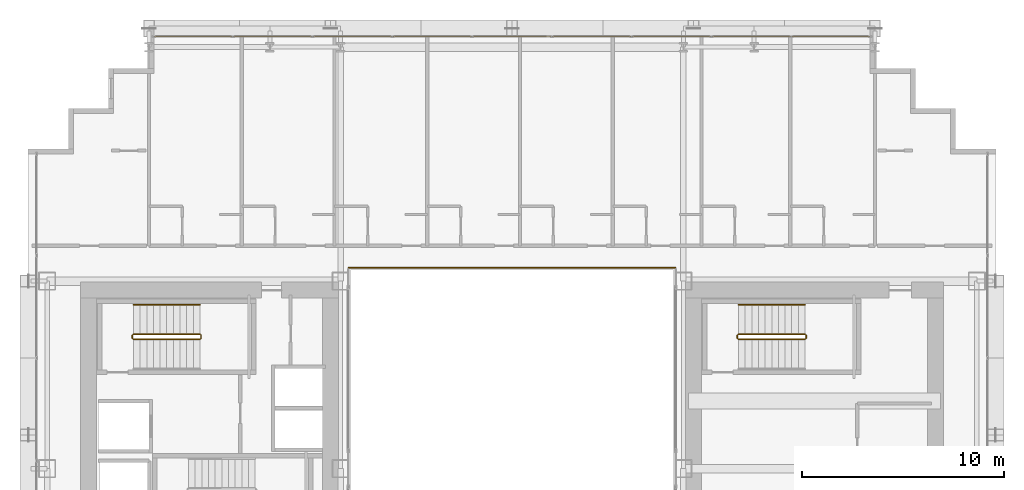
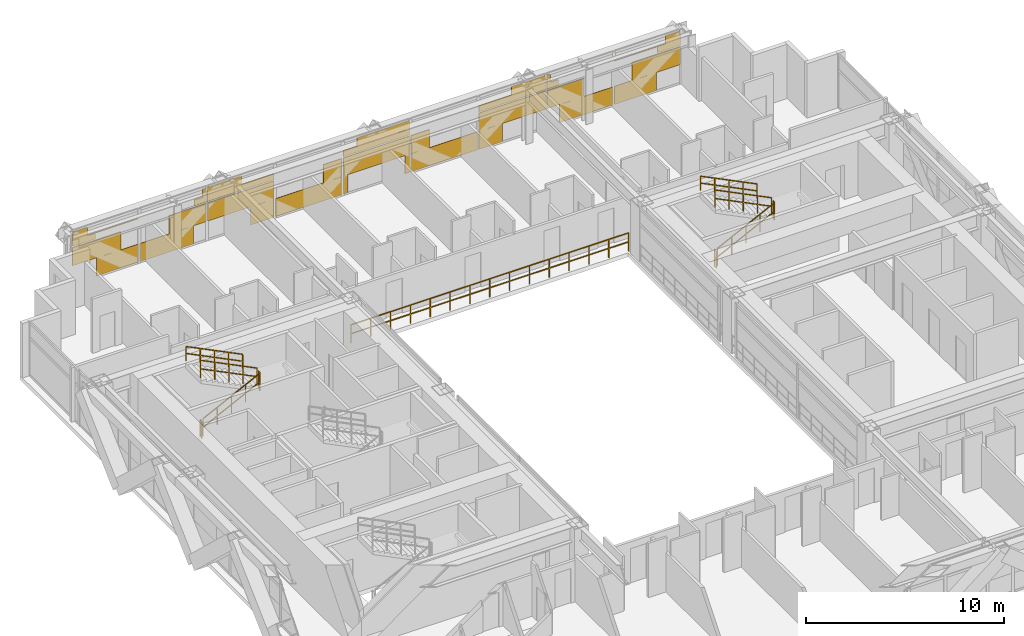
# One storey, part 41 of 41: 11 railings, 1 covering.
"""IFC4 building model written with IfcOpenShell, lengths in metres."""

import ifcopenshell
import ifcopenshell.guid

model = None  # the IFC model being written
_history = None  # IfcOwnerHistory: only IFC2X3 demands one
_inside = {}  # id of a spatial element -> (the spatial element, [elements in it])
_under = {}  # id of a project, library or spatial element -> (it, [spatial elements below it])
_declared = {}  # id of a project -> (the project, [libraries it declares])
_typed = {}  # id of a type object -> (the type object, [elements of that type])
_made_of = {}  # id of a material, layer set ... -> (it, [elements and type objects made of it])


def new_model(schema):
    """Start an empty IFC model of exactly this schema.

    Asked for "IFC4X3", IfcOpenShell would pick the latest addendum, in which some entities
    have other attributes; the version numbers below select the first issue.
    IFC2X3 requires an IfcOwnerHistory on every rooted entity: one is made here for all.
    """
    global model, _history
    if schema == "IFC4X3":
        model = ifcopenshell.file(schema_version=(4, 3, 0, 0))
    else:
        model = ifcopenshell.file(schema=schema)
    _inside.clear()
    _under.clear()
    _declared.clear()
    _typed.clear()
    _made_of.clear()
    _history = None
    if model.schema == "IFC2X3":
        org = make("IfcOrganization", Name="unknown")
        user = make(
            "IfcPersonAndOrganization",
            ThePerson=make("IfcPerson", FamilyName="unknown"),
            TheOrganization=org,
        )
        app = make(
            "IfcApplication",
            ApplicationDeveloper=org,
            Version="unknown",
            ApplicationFullName="unknown",
            ApplicationIdentifier="unknown",
        )
        _history = make(
            "IfcOwnerHistory",
            OwningUser=user,
            OwningApplication=app,
            ChangeAction="ADDED",
            CreationDate=0,
        )
    return model


def make(cls, **values):
    """One entity of the class cls with the attributes given. An attribute that is None is left unset."""
    return model.create_entity(
        cls, **{name: value for name, value in values.items() if value is not None}
    )


def rooted(cls, **values):
    """An entity with a GlobalId (a new one), such as an element, a storey or a relation."""
    return make(cls, GlobalId=ifcopenshell.guid.new(), OwnerHistory=_history, **values)


def si_unit(unit_type, name, prefix=None):
    """IfcSIUnit, for example si_unit("LENGTHUNIT", "METRE", prefix="MILLI")."""
    return make("IfcSIUnit", UnitType=unit_type, Prefix=prefix, Name=name)


def assignment(units):
    """IfcUnitAssignment: the units of a project."""
    return None if units is None else make("IfcUnitAssignment", Units=units)


def point(xyz):
    """IfcCartesianPoint."""
    return None if xyz is None else make("IfcCartesianPoint", Coordinates=xyz)


def direction(xyz):
    """IfcDirection."""
    return None if xyz is None else make("IfcDirection", DirectionRatios=xyz)


def frame(location, z_axis=None, x_axis=None):
    """IfcAxis2Placement3D, a coordinate frame: its origin and axes. An axis left out is left unset."""
    return make(
        "IfcAxis2Placement3D",
        Location=point(location),
        Axis=direction(z_axis),
        RefDirection=direction(x_axis),
    )


def frame_2d(location, x_axis=None):
    """IfcAxis2Placement2D, a coordinate frame in the plane: its origin and x axis."""
    return make(
        "IfcAxis2Placement2D", Location=point(location), RefDirection=direction(x_axis)
    )


def origin():
    """The frame at (0, 0, 0) with its axes left unset."""
    return frame((0.0, 0.0, 0.0))


def origin_2d():
    """The frame at (0, 0) in the plane with its x axis left unset."""
    return frame_2d((0.0, 0.0))


def place(relative_to, where):
    """IfcLocalPlacement: puts the frame where relative to a parent placement (None: the world)."""
    return make(
        "IfcLocalPlacement", PlacementRelTo=relative_to, RelativePlacement=where
    )


def context(
    kind, dimensions, precision=None, world=None, true_north=None, identifier=None
):
    """IfcGeometricRepresentationContext, for example the 3D "Model" context."""
    return make(
        "IfcGeometricRepresentationContext",
        ContextIdentifier=identifier,
        ContextType=kind,
        CoordinateSpaceDimension=dimensions,
        Precision=precision,
        WorldCoordinateSystem=world,
        TrueNorth=true_north,
    )


def subcontext(parent, identifier, kind, view, scale=None):
    """IfcGeometricRepresentationSubContext, for example "Body" below "Model"."""
    return make(
        "IfcGeometricRepresentationSubContext",
        ContextIdentifier=identifier,
        ContextType=kind,
        ParentContext=parent,
        TargetScale=scale,
        TargetView=view,
    )


def project(units=None, contexts=None):
    """IfcProject with its units and contexts."""
    return rooted(
        "IfcProject",
        Name="project",
        RepresentationContexts=contexts,
        UnitsInContext=assignment(units),
    )


def spatial(cls, under=None, at=None, **own):
    """A site, building, storey or space (cls), placed at a placement, below another one or the project."""
    s = rooted(cls, ObjectPlacement=at, **own)
    if under is not None:
        _under.setdefault(under.id(), (under, []))[1].append(s)
    return s


def profile(cls, at=None, kind="AREA", **sizes):
    """A parametric profile (cls). Its sizes go by their IFC names, for example OverallWidth=200.0."""
    return make(cls, ProfileType=kind, Position=at, **sizes)


def rectangle(**sizes):
    """IfcRectangleProfileDef."""
    return profile("IfcRectangleProfileDef", **sizes)


def extrude(swept, where, along, depth):
    """IfcExtrudedAreaSolid: the profile swept, set in the frame where, extruded along a direction by depth."""
    return make(
        "IfcExtrudedAreaSolid",
        SweptArea=swept,
        Position=where,
        ExtrudedDirection=direction(along),
        Depth=depth,
    )


def shape(context_of_items, identifier, shape_type, items):
    """IfcShapeRepresentation: the items that make up one representation, for example the "Body"."""
    return make(
        "IfcShapeRepresentation",
        ContextOfItems=context_of_items,
        RepresentationIdentifier=identifier,
        RepresentationType=shape_type,
        Items=items,
    )


def material(Name=None, Category=None):
    """IfcMaterial."""
    return make("IfcMaterial", Name=Name, Category=Category)


def layer(
    of_material, thickness, ventilated=None, Name=None, Category=None, Priority=None
):
    """IfcMaterialLayer: one layer of a wall or slab, of a material (None: an air gap)."""
    return make(
        "IfcMaterialLayer",
        Material=of_material,
        LayerThickness=thickness,
        IsVentilated=ventilated,
        Name=Name,
        Category=Category,
        Priority=Priority,
    )


def layer_set(layers, Name=None):
    """IfcMaterialLayerSet."""
    return make("IfcMaterialLayerSet", MaterialLayers=layers, LayerSetName=Name)


def made_of(thing, what):
    """Note that an element or type object is made of a material, layer set ...; save() writes the relation."""
    if what is not None:
        _made_of.setdefault(what.id(), (what, []))[1].append(thing)
    return thing


def type_object(cls, material=None, **own):
    """A type object (cls), such as IfcWallType, which elements share."""
    return made_of(rooted(cls, **own), material)


def element(
    cls,
    number,
    at=None,
    inside=None,
    cuts=None,
    type_object=None,
    material=None,
    context=None,
    identifier="Body",
    shape_type=None,
    held_by="IfcProductDefinitionShape",
    body=None,
    shapes=None,
    **own,
):
    """One element of the class cls, such as IfcWall. Its Tag is "e" and its number.

    at: its placement. inside: the storey or other place that contains it. cuts: it is an
    opening in that element (IfcRelVoidsElement). A single representation is given by context,
    identifier, shape_type and body (its items); several are given by shapes. held_by: the class
    of the entity that holds the representations. save() writes the other relations.
    """
    e = rooted(cls, Tag="e%d" % number, ObjectPlacement=at, **own)
    if body is not None:
        shapes = [shape(context, identifier, shape_type, body)]
    if shapes is not None:
        e.Representation = make(held_by, Representations=shapes)
    if inside is not None:
        _inside.setdefault(inside.id(), (inside, []))[1].append(e)
    if cuts is not None:
        rooted(
            "IfcRelVoidsElement", RelatingBuildingElement=cuts, RelatedOpeningElement=e
        )
    if type_object is not None:
        _typed.setdefault(type_object.id(), (type_object, []))[1].append(e)
    return made_of(e, material)


def aggregate(whole, parts):
    """IfcRelAggregates: a whole, such as a stair, and the parts it consists of."""
    return rooted("IfcRelAggregates", RelatingObject=whole, RelatedObjects=parts)


def save(model, path):
    """Write the relations noted so far, then the file.

    IfcRelAggregates (storeys below a building ...), IfcRelContainedInSpatialStructure (elements
    in a storey), IfcRelDefinesByType, IfcRelAssociatesMaterial and IfcRelDeclares: one each for
    every whole, place, type object, material and project.
    """
    for whole, parts in _under.values():
        aggregate(whole, parts)
    for where, things in _inside.values():
        rooted(
            "IfcRelContainedInSpatialStructure",
            RelatedElements=things,
            RelatingStructure=where,
        )
    for kind, things in _typed.values():
        rooted("IfcRelDefinesByType", RelatedObjects=things, RelatingType=kind)
    for what, things in _made_of.values():
        rooted("IfcRelAssociatesMaterial", RelatedObjects=things, RelatingMaterial=what)
    for by, libraries in _declared.values():
        rooted("IfcRelDeclares", RelatingContext=by, RelatedDefinitions=libraries)
    model.write(path)


model = new_model("IFC4")

# Units and contexts
model_context = context("Model", 3, precision=1e-05, world=origin(), true_north=direction((0.0, 1.0)))
body_context = subcontext(model_context, "Body", "Model", "MODEL_VIEW")
ifc_project = project(units=[si_unit("LENGTHUNIT", "METRE"), si_unit("AREAUNIT", "SQUARE_METRE"), si_unit("VOLUMEUNIT", "CUBIC_METRE"), si_unit("PLANEANGLEUNIT", "RADIAN"), si_unit("MASSUNIT", "GRAM", prefix="KILO")], contexts=[model_context])

# Site, building, storey
site_placement = place(None, origin())
site = spatial("IfcSite", under=ifc_project, at=site_placement, CompositionType="ELEMENT")
building_placement = place(site_placement, origin())
building = spatial("IfcBuilding", under=site, at=building_placement, Name="Ocotamira Hotel", CompositionType="ELEMENT")
storey_placement = place(building_placement, frame((0.0, 0.0, 38.39990234375)))
storey = spatial("IfcBuildingStorey", under=building, at=storey_placement, Name="L08", CompositionType="ELEMENT", Elevation=38.39990234375)

# Covering
ifc_material_1 = material(Name="Insulated pale-metal aluminium spandrel panel", Category="aluminium")
ifc_layer = layer(ifc_material_1, 0.044921875)
ifc_layer_set = layer_set([ifc_layer], Name="Insulated pale-metal aluminium spandrel panel")
covering_type = type_object("IfcCoveringType", Name="COV-INFILL-45", PredefinedType="CLADDING", material=ifc_layer_set)
covering_placement = place(storey_placement, origin())
element("IfcCovering", 1, at=covering_placement, inside=storey, type_object=covering_type, Name="L08 Curtain Wall Infill CW-2 CW-L08-N", PredefinedType="CLADDING", context=body_context, shape_type="SweptSolid", body=[
    extrude(rectangle(XDim=2.822265625, YDim=0.044921875, at=origin_2d()), frame((15.691650390625, 49.580078125, 1.1943359375), z_axis=(0.0, 0.0, 1.0), x_axis=(1.0, 0.0, 0.0)), (0.0, 0.0, 1.0), 1.11767578125),
    extrude(rectangle(XDim=2.4521484375, YDim=0.044921875, at=origin_2d()), frame((16.888916015625, 49.580078125, 0.07568359375), z_axis=(0.0, 0.0, 1.0), x_axis=(1.0, 0.0, 0.0)), (0.0, 0.0, 1.0), 1.11767578125),
    extrude(rectangle(XDim=1.330078125, YDim=0.044921875, at=origin_2d()), frame((14.945556640625, 49.580078125, 2.38818359375), z_axis=(0.0, 0.0, 1.0), x_axis=(1.0, 0.0, 0.0)), (0.0, 0.0, 1.0), 0.344482421875),
    extrude(rectangle(XDim=3.834716796875, YDim=0.044921875, at=origin_2d()), frame((16.19775390625, 49.580078125, 2.733642578125), z_axis=(0.0, 0.0, 1.0), x_axis=(1.0, 0.0, 0.0)), (0.0, 0.0, 1.0), 0.0302734375),
    extrude(rectangle(XDim=0.859130859375, YDim=0.044921875, at=origin_2d()), frame((14.7099609375, 49.580078125, 2.764892578125), z_axis=(0.0, 0.0, 1.0), x_axis=(1.0, 0.0, 0.0)), (0.0, 0.0, 1.0), 0.509765625),
    extrude(rectangle(XDim=3.14111328125, YDim=0.044921875, at=origin_2d()), frame((19.7666015625, 49.580078125, 0.07568359375), z_axis=(0.0, 0.0, 1.0), x_axis=(1.0, 0.0, 0.0)), (0.0, 0.0, 1.0), 1.11767578125),
    extrude(rectangle(XDim=2.17333984375, YDim=0.044921875, at=origin_2d()), frame((20.98388671875, 49.580078125, 1.1943359375), z_axis=(0.0, 0.0, 1.0), x_axis=(1.0, 0.0, 0.0)), (0.0, 0.0, 1.0), 1.11767578125),
    extrude(rectangle(XDim=0.68115234375, YDim=0.044921875, at=origin_2d()), frame((21.72998046875, 49.580078125, 2.38818359375), z_axis=(0.0, 0.0, 1.0), x_axis=(1.0, 0.0, 0.0)), (0.0, 0.0, 1.0), 0.375732421875),
    extrude(rectangle(XDim=0.210205078125, YDim=0.044921875, at=origin_2d()), frame((21.965576171875, 49.580078125, 2.764892578125), z_axis=(0.0, 0.0, 1.0), x_axis=(1.0, 0.0, 0.0)), (0.0, 0.0, 1.0), 0.509765625),
    extrude(rectangle(XDim=3.87451171875, YDim=0.044921875, at=origin_2d()), frame((24.0888671875, 49.580078125, 1.1943359375), z_axis=(0.0, 0.0, 1.0), x_axis=(1.0, 0.0, 0.0)), (0.0, 0.0, 1.0), 1.11767578125),
    extrude(rectangle(XDim=1.36328125, YDim=0.044921875, at=origin_2d()), frame((25.344482421875, 49.580078125, 0.07568359375), z_axis=(0.0, 0.0, 1.0), x_axis=(1.0, 0.0, 0.0)), (0.0, 0.0, 1.0), 1.11767578125),
    extrude(rectangle(XDim=3.87451171875, YDim=0.044921875, at=origin_2d()), frame((24.0888671875, 49.580078125, 2.38818359375), z_axis=(0.0, 0.0, 1.0), x_axis=(1.0, 0.0, 0.0)), (0.0, 0.0, 1.0), 0.375732421875),
    extrude(rectangle(XDim=1.988037109375, YDim=0.044921875, at=origin_2d()), frame((23.1455078125, 49.580078125, 2.764892578125), z_axis=(0.0, 0.0, 1.0), x_axis=(1.0, 0.0, 0.0)), (0.0, 0.0, 1.0), 0.509765625),
    extrude(rectangle(XDim=3.87451171875, YDim=0.044921875, at=origin_2d()), frame((28.04443359375, 49.580078125, 0.07568359375), z_axis=(0.0, 0.0, 1.0), x_axis=(1.0, 0.0, 0.0)), (0.0, 0.0, 1.0), 1.11767578125),
    extrude(rectangle(XDim=1.08447265625, YDim=0.044921875, at=origin_2d()), frame((29.439453125, 49.580078125, 1.1943359375), z_axis=(0.0, 0.0, 1.0), x_axis=(1.0, 0.0, 0.0)), (0.0, 0.0, 1.0), 1.11767578125),
    extrude(rectangle(XDim=0.2744140625, YDim=0.044921875, at=origin_2d()), frame((30.199951171875, 49.580078125, 0.07568359375), z_axis=(0.0, 0.0, 1.0), x_axis=(1.0, 0.0, 0.0)), (0.0, 0.0, 1.0), 1.11767578125),
    extrude(rectangle(XDim=3.87451171875, YDim=0.044921875, at=origin_2d()), frame((32.0, 49.580078125, 1.1943359375), z_axis=(0.0, 0.0, 1.0), x_axis=(1.0, 0.0, 0.0)), (0.0, 0.0, 1.0), 1.11767578125),
    extrude(rectangle(XDim=0.2744140625, YDim=0.044921875, at=origin_2d()), frame((33.800048828125, 49.580078125, 0.07568359375), z_axis=(0.0, 0.0, 1.0), x_axis=(1.0, 0.0, 0.0)), (0.0, 0.0, 1.0), 1.11767578125),
    extrude(rectangle(XDim=3.87451171875, YDim=0.044921875, at=origin_2d()), frame((32.0, 49.580078125, 2.38818359375), z_axis=(0.0, 0.0, 1.0), x_axis=(1.0, 0.0, 0.0)), (0.0, 0.0, 1.0), 0.375732421875),
    extrude(rectangle(XDim=3.076904296875, YDim=0.044921875, at=origin_2d()), frame((32.39892578125, 49.580078125, 2.764892578125), z_axis=(0.0, 0.0, 1.0), x_axis=(1.0, 0.0, 0.0)), (0.0, 0.0, 1.0), 0.509765625),
    extrude(rectangle(XDim=3.87451171875, YDim=0.044921875, at=origin_2d()), frame((35.95556640625, 49.580078125, 0.07568359375), z_axis=(0.0, 0.0, 1.0), x_axis=(1.0, 0.0, 0.0)), (0.0, 0.0, 1.0), 1.11767578125),
    extrude(rectangle(XDim=1.08447265625, YDim=0.044921875, at=origin_2d()), frame((34.560546875, 49.580078125, 1.1943359375), z_axis=(0.0, 0.0, 1.0), x_axis=(1.0, 0.0, 0.0)), (0.0, 0.0, 1.0), 1.11767578125),
    extrude(rectangle(XDim=1.36328125, YDim=0.044921875, at=origin_2d()), frame((38.655517578125, 49.580078125, 0.07568359375), z_axis=(0.0, 0.0, 1.0), x_axis=(1.0, 0.0, 0.0)), (0.0, 0.0, 1.0), 1.11767578125),
    extrude(rectangle(XDim=3.87451171875, YDim=0.044921875, at=origin_2d()), frame((39.9111328125, 49.580078125, 1.1943359375), z_axis=(0.0, 0.0, 1.0), x_axis=(1.0, 0.0, 0.0)), (0.0, 0.0, 1.0), 1.11767578125),
    extrude(rectangle(XDim=3.87451171875, YDim=0.044921875, at=origin_2d()), frame((39.9111328125, 49.580078125, 2.38818359375), z_axis=(0.0, 0.0, 1.0), x_axis=(1.0, 0.0, 0.0)), (0.0, 0.0, 1.0), 0.375732421875),
    extrude(rectangle(XDim=1.988037109375, YDim=0.044921875, at=origin_2d()), frame((40.8544921875, 49.580078125, 2.764892578125), z_axis=(0.0, 0.0, 1.0), x_axis=(1.0, 0.0, 0.0)), (0.0, 0.0, 1.0), 0.509765625),
    extrude(rectangle(XDim=2.17333984375, YDim=0.044921875, at=origin_2d()), frame((43.01611328125, 49.580078125, 1.1943359375), z_axis=(0.0, 0.0, 1.0), x_axis=(1.0, 0.0, 0.0)), (0.0, 0.0, 1.0), 1.11767578125),
    extrude(rectangle(XDim=3.14111328125, YDim=0.044921875, at=origin_2d()), frame((44.2333984375, 49.580078125, 0.07568359375), z_axis=(0.0, 0.0, 1.0), x_axis=(1.0, 0.0, 0.0)), (0.0, 0.0, 1.0), 1.11767578125),
    extrude(rectangle(XDim=0.68115234375, YDim=0.044921875, at=origin_2d()), frame((42.27001953125, 49.580078125, 2.38818359375), z_axis=(0.0, 0.0, 1.0), x_axis=(1.0, 0.0, 0.0)), (0.0, 0.0, 1.0), 0.375732421875),
    extrude(rectangle(XDim=0.210205078125, YDim=0.044921875, at=origin_2d()), frame((42.034423828125, 49.580078125, 2.764892578125), z_axis=(0.0, 0.0, 1.0), x_axis=(1.0, 0.0, 0.0)), (0.0, 0.0, 1.0), 0.509765625),
    extrude(rectangle(XDim=2.4521484375, YDim=0.044921875, at=origin_2d()), frame((47.111083984375, 49.580078125, 0.07568359375), z_axis=(0.0, 0.0, 1.0), x_axis=(1.0, 0.0, 0.0)), (0.0, 0.0, 1.0), 1.11767578125),
    extrude(rectangle(XDim=2.822265625, YDim=0.044921875, at=origin_2d()), frame((48.308349609375, 49.580078125, 1.1943359375), z_axis=(0.0, 0.0, 1.0), x_axis=(1.0, 0.0, 0.0)), (0.0, 0.0, 1.0), 1.11767578125),
    extrude(rectangle(XDim=3.834716796875, YDim=0.044921875, at=origin_2d()), frame((47.80224609375, 49.580078125, 2.733642578125), z_axis=(0.0, 0.0, 1.0), x_axis=(1.0, 0.0, 0.0)), (0.0, 0.0, 1.0), 0.0302734375),
    extrude(rectangle(XDim=1.330078125, YDim=0.044921875, at=origin_2d()), frame((49.054443359375, 49.580078125, 2.38818359375), z_axis=(0.0, 0.0, 1.0), x_axis=(1.0, 0.0, 0.0)), (0.0, 0.0, 1.0), 0.344482421875),
    extrude(rectangle(XDim=0.859130859375, YDim=0.044921875, at=origin_2d()), frame((49.2900390625, 49.580078125, 2.764892578125), z_axis=(0.0, 0.0, 1.0), x_axis=(1.0, 0.0, 0.0)), (0.0, 0.0, 1.0), 0.509765625),
])

# Railings
ifc_material_2 = material(Name="Painted steel stair guardrail", Category="steel")
railing_type_1 = type_object("IfcRailingType", Name="RL-EDGE-1150", PredefinedType="GUARDRAIL", material=ifc_material_2)
railing_1_placement = place(storey_placement, frame((40.10009765625, 38.1201171875, 0.0)))
element("IfcRailing", 2, at=railing_1_placement, inside=storey, type_object=railing_type_1, Name="L08 Central Atrium Edge Guardrail N", PredefinedType="GUARDRAIL", context=body_context, shape_type="SweptSolid", body=[
    extrude(rectangle(XDim=0.048095703125, YDim=0.048095703125, at=origin_2d()), frame((0.0, 0.0, 1.1259765625), z_axis=(-1.0, 0.0, 0.0), x_axis=(0.0, -1.0, 0.0)), (0.0, 0.0, 1.0), 16.2001953125),
    extrude(rectangle(XDim=0.048095703125, YDim=0.048095703125, at=origin_2d()), frame((0.0, 0.0, 0.574951171875), z_axis=(-1.0, 0.0, 0.0), x_axis=(0.0, -1.0, 0.0)), (0.0, 0.0, 1.0), 16.2001953125),
    extrude(rectangle(XDim=0.0419921875, YDim=0.0419921875, at=origin_2d()), origin(), (0.0, 0.0, 1.0), 1.101806640625),
    extrude(rectangle(XDim=0.0419921875, YDim=0.0419921875, at=origin_2d()), frame((-1.1572265625, 0.0, 0.0)), (0.0, 0.0, 1.0), 1.101806640625),
    extrude(rectangle(XDim=0.0419921875, YDim=0.0419921875, at=origin_2d()), frame((-2.314208984375, 0.0, 0.0)), (0.0, 0.0, 1.0), 1.101806640625),
    extrude(rectangle(XDim=0.0419921875, YDim=0.0419921875, at=origin_2d()), frame((-3.471435546875, 0.0, 0.0)), (0.0, 0.0, 1.0), 1.101806640625),
    extrude(rectangle(XDim=0.0419921875, YDim=0.0419921875, at=origin_2d()), frame((-4.628662109375, 0.0, 0.0)), (0.0, 0.0, 1.0), 1.101806640625),
    extrude(rectangle(XDim=0.0419921875, YDim=0.0419921875, at=origin_2d()), frame((-5.785888671875, 0.0, 0.0)), (0.0, 0.0, 1.0), 1.101806640625),
    extrude(rectangle(XDim=0.0419921875, YDim=0.0419921875, at=origin_2d()), frame((-6.94287109375, 0.0, 0.0)), (0.0, 0.0, 1.0), 1.101806640625),
    extrude(rectangle(XDim=0.0419921875, YDim=0.0419921875, at=origin_2d()), frame((-8.10009765625, 0.0, 0.0)), (0.0, 0.0, 1.0), 1.101806640625),
    extrude(rectangle(XDim=0.0419921875, YDim=0.0419921875, at=origin_2d()), frame((-9.25732421875, 0.0, 0.0)), (0.0, 0.0, 1.0), 1.101806640625),
    extrude(rectangle(XDim=0.0419921875, YDim=0.0419921875, at=origin_2d()), frame((-10.414306640625, 0.0, 0.0)), (0.0, 0.0, 1.0), 1.101806640625),
    extrude(rectangle(XDim=0.0419921875, YDim=0.0419921875, at=origin_2d()), frame((-11.571533203125, 0.0, 0.0)), (0.0, 0.0, 1.0), 1.101806640625),
    extrude(rectangle(XDim=0.0419921875, YDim=0.0419921875, at=origin_2d()), frame((-12.728759765625, 0.0, 0.0)), (0.0, 0.0, 1.0), 1.101806640625),
    extrude(rectangle(XDim=0.0419921875, YDim=0.0419921875, at=origin_2d()), frame((-13.885986328125, 0.0, 0.0)), (0.0, 0.0, 1.0), 1.101806640625),
    extrude(rectangle(XDim=0.0419921875, YDim=0.0419921875, at=origin_2d()), frame((-15.04296875, 0.0, 0.0)), (0.0, 0.0, 1.0), 1.101806640625),
    extrude(rectangle(XDim=0.0419921875, YDim=0.0419921875, at=origin_2d()), frame((-16.2001953125, 0.0, 0.0)), (0.0, 0.0, 1.0), 1.101806640625),
])
ifc_material_3 = material(Name="Brushed stainless steel handrail", Category="steel")
railing_type_2 = type_object("IfcRailingType", Name="RL-HAND-900", PredefinedType="HANDRAIL", material=ifc_material_3)
for number, where, name in (
    (3, (16.530029296875, 36.280029296875, 2.12744140625), "L08 ST-2 stair handrail 2"),
    (4, (46.530029296875, 36.280029296875, 2.12744140625), "L08 ST-4 stair handrail 2"),
):
    element("IfcRailing", number, at=place(storey_placement, frame(where)), inside=storey, type_object=railing_type_2, Name=name, PredefinedType="HANDRAIL", context=body_context, shape_type="SweptSolid", body=[
        extrude(rectangle(XDim=0.048095703125, YDim=0.048095703125, at=origin_2d()), frame((0.0, 0.0, 0.8759765625), z_axis=(-0.895920123917, 0.0, 0.444215186098), x_axis=(0.0, -1.0, 0.0)), (0.0, 0.0, 1.0), 3.683349609375),
        extrude(rectangle(XDim=0.048095703125, YDim=0.048095703125, at=origin_2d()), frame((0.0, 0.0, 0.449951171875), z_axis=(-0.895920123917, 0.0, 0.444215186098), x_axis=(0.0, -1.0, 0.0)), (0.0, 0.0, 1.0), 3.683349609375),
        extrude(rectangle(XDim=0.0419921875, YDim=0.0419921875, at=origin_2d()), origin(), (0.0, 0.0, 1.0), 0.851806640625),
        extrude(rectangle(XDim=0.0419921875, YDim=0.0419921875, at=origin_2d()), frame((-0.824951171875, 0.0, 0.4091796875)), (0.0, 0.0, 1.0), 0.851806640625),
        extrude(rectangle(XDim=0.0419921875, YDim=0.0419921875, at=origin_2d()), frame((-1.64990234375, 0.0, 0.818115234375)), (0.0, 0.0, 1.0), 0.851806640625),
        extrude(rectangle(XDim=0.0419921875, YDim=0.0419921875, at=origin_2d()), frame((-2.47509765625, 0.0, 1.22705078125)), (0.0, 0.0, 1.0), 0.851806640625),
        extrude(rectangle(XDim=0.0419921875, YDim=0.0419921875, at=origin_2d()), frame((-3.300048828125, 0.0, 1.63623046875)), (0.0, 0.0, 1.0), 0.851806640625),
    ])
railing_type_3 = type_object("IfcRailingType", Name="RL-STAIR-1100", PredefinedType="GUARDRAIL", material=ifc_material_2)
railing_2_placement = place(storey_placement, frame((13.22998046875, 34.56005859375, 0.163818359375)))
element("IfcRailing", 5, at=railing_2_placement, inside=storey, type_object=railing_type_3, Name="L08 ST-2 stair guard 1", PredefinedType="GUARDRAIL", context=body_context, shape_type="SweptSolid", body=[
    extrude(rectangle(XDim=0.048095703125, YDim=0.048095703125, at=origin_2d()), frame((0.0, 0.0, 1.076171875), z_axis=(0.895920123917, 0.0, 0.444215186098), x_axis=(0.0, 1.0, 0.0)), (0.0, 0.0, 1.0), 3.683349609375),
    extrude(rectangle(XDim=0.048095703125, YDim=0.048095703125, at=origin_2d()), frame((0.0, 0.0, 0.550048828125), z_axis=(0.895920123917, 0.0, 0.444215186098), x_axis=(0.0, 1.0, 0.0)), (0.0, 0.0, 1.0), 3.683349609375),
    extrude(rectangle(XDim=0.0419921875, YDim=0.0419921875, at=origin_2d()), origin(), (0.0, 0.0, 1.0), 1.052001953125),
    extrude(rectangle(XDim=0.0419921875, YDim=0.0419921875, at=origin_2d()), frame((0.824951171875, 0.0, 0.4091796875)), (0.0, 0.0, 1.0), 1.052001953125),
    extrude(rectangle(XDim=0.0419921875, YDim=0.0419921875, at=origin_2d()), frame((1.64990234375, 0.0, 0.818115234375)), (0.0, 0.0, 1.0), 1.052001953125),
    extrude(rectangle(XDim=0.0419921875, YDim=0.0419921875, at=origin_2d()), frame((2.47509765625, 0.0, 1.22705078125)), (0.0, 0.0, 1.0), 1.052001953125),
    extrude(rectangle(XDim=0.0419921875, YDim=0.0419921875, at=origin_2d()), frame((3.300048828125, 0.0, 1.63623046875)), (0.0, 0.0, 1.0), 1.052001953125),
])
railing_3_placement = place(storey_placement, frame((16.580078125, 34.610107421875, 1.800048828125)))
element("IfcRailing", 6, at=railing_3_placement, inside=storey, type_object=railing_type_3, Name="L08 ST-2 stair guard 2", PredefinedType="GUARDRAIL", context=body_context, shape_type="SweptSolid", body=[
    extrude(rectangle(XDim=0.048095703125, YDim=0.048095703125, at=origin_2d()), frame((0.0, 0.0, 1.076171875), z_axis=(0.0, 1.0, 0.0), x_axis=(-1.0, 0.0, 0.0)), (0.0, 0.0, 1.0), 0.159912109375),
    extrude(rectangle(XDim=0.048095703125, YDim=0.048095703125, at=origin_2d()), frame((0.0, 0.0, 0.550048828125), z_axis=(0.0, 1.0, 0.0), x_axis=(-1.0, 0.0, 0.0)), (0.0, 0.0, 1.0), 0.159912109375),
    extrude(rectangle(XDim=0.0419921875, YDim=0.0419921875, at=origin_2d()), origin(), (0.0, 0.0, 1.0), 1.052001953125),
    extrude(rectangle(XDim=0.0419921875, YDim=0.0419921875, at=origin_2d()), frame((0.0, 0.159912109375, 0.0)), (0.0, 0.0, 1.0), 1.052001953125),
])
railing_4_placement = place(storey_placement, frame((16.530029296875, 34.820068359375, 1.963623046875)))
element("IfcRailing", 7, at=railing_4_placement, inside=storey, type_object=railing_type_3, Name="L08 ST-2 stair guard 3", PredefinedType="GUARDRAIL", context=body_context, shape_type="SweptSolid", body=[
    extrude(rectangle(XDim=0.048095703125, YDim=0.048095703125, at=origin_2d()), frame((0.0, 0.0, 1.076171875), z_axis=(-0.895893744519, 0.0, 0.4442683857), x_axis=(0.0, -1.0, 0.0)), (0.0, 0.0, 1.0), 3.68359375),
    extrude(rectangle(XDim=0.048095703125, YDim=0.048095703125, at=origin_2d()), frame((0.0, 0.0, 0.550048828125), z_axis=(-0.895893744519, 0.0, 0.4442683857), x_axis=(0.0, -1.0, 0.0)), (0.0, 0.0, 1.0), 3.68359375),
    extrude(rectangle(XDim=0.0419921875, YDim=0.0419921875, at=origin_2d()), origin(), (0.0, 0.0, 1.0), 1.052001953125),
    extrude(rectangle(XDim=0.0419921875, YDim=0.0419921875, at=origin_2d()), frame((-0.824951171875, 0.0, 0.4091796875)), (0.0, 0.0, 1.0), 1.052001953125),
    extrude(rectangle(XDim=0.0419921875, YDim=0.0419921875, at=origin_2d()), frame((-1.64990234375, 0.0, 0.818359375)), (0.0, 0.0, 1.0), 1.052001953125),
    extrude(rectangle(XDim=0.0419921875, YDim=0.0419921875, at=origin_2d()), frame((-2.47509765625, 0.0, 1.227294921875)), (0.0, 0.0, 1.0), 1.052001953125),
    extrude(rectangle(XDim=0.0419921875, YDim=0.0419921875, at=origin_2d()), frame((-3.300048828125, 0.0, 1.636474609375)), (0.0, 0.0, 1.0), 1.052001953125),
])
railing_5_placement = place(storey_placement, frame((13.179931640625, 34.610107421875, 0.0)))
element("IfcRailing", 8, at=railing_5_placement, inside=storey, type_object=railing_type_3, Name="L08 ST-2 stair guard 4", PredefinedType="GUARDRAIL", context=body_context, shape_type="SweptSolid", body=[
    extrude(rectangle(XDim=0.048095703125, YDim=0.048095703125, at=origin_2d()), frame((0.0, 0.0, 1.076171875), z_axis=(0.0, 1.0, 0.0), x_axis=(-1.0, 0.0, 0.0)), (0.0, 0.0, 1.0), 0.159912109375),
    extrude(rectangle(XDim=0.048095703125, YDim=0.048095703125, at=origin_2d()), frame((0.0, 0.0, 0.550048828125), z_axis=(0.0, 1.0, 0.0), x_axis=(-1.0, 0.0, 0.0)), (0.0, 0.0, 1.0), 0.159912109375),
    extrude(rectangle(XDim=0.0419921875, YDim=0.0419921875, at=origin_2d()), origin(), (0.0, 0.0, 1.0), 1.052001953125),
    extrude(rectangle(XDim=0.0419921875, YDim=0.0419921875, at=origin_2d()), frame((0.0, 0.159912109375, 0.0)), (0.0, 0.0, 1.0), 1.052001953125),
])
railing_6_placement = place(storey_placement, frame((43.22998046875, 34.56005859375, 0.163818359375)))
element("IfcRailing", 9, at=railing_6_placement, inside=storey, type_object=railing_type_3, Name="L08 ST-4 stair guard 1", PredefinedType="GUARDRAIL", context=body_context, shape_type="SweptSolid", body=[
    extrude(rectangle(XDim=0.048095703125, YDim=0.048095703125, at=origin_2d()), frame((0.0, 0.0, 1.076171875), z_axis=(0.895920123917, 0.0, 0.444215186098), x_axis=(0.0, 1.0, 0.0)), (0.0, 0.0, 1.0), 3.683349609375),
    extrude(rectangle(XDim=0.048095703125, YDim=0.048095703125, at=origin_2d()), frame((0.0, 0.0, 0.550048828125), z_axis=(0.895920123917, 0.0, 0.444215186098), x_axis=(0.0, 1.0, 0.0)), (0.0, 0.0, 1.0), 3.683349609375),
    extrude(rectangle(XDim=0.0419921875, YDim=0.0419921875, at=origin_2d()), origin(), (0.0, 0.0, 1.0), 1.052001953125),
    extrude(rectangle(XDim=0.0419921875, YDim=0.0419921875, at=origin_2d()), frame((0.824951171875, 0.0, 0.4091796875)), (0.0, 0.0, 1.0), 1.052001953125),
    extrude(rectangle(XDim=0.0419921875, YDim=0.0419921875, at=origin_2d()), frame((1.64990234375, 0.0, 0.818115234375)), (0.0, 0.0, 1.0), 1.052001953125),
    extrude(rectangle(XDim=0.0419921875, YDim=0.0419921875, at=origin_2d()), frame((2.47509765625, 0.0, 1.22705078125)), (0.0, 0.0, 1.0), 1.052001953125),
    extrude(rectangle(XDim=0.0419921875, YDim=0.0419921875, at=origin_2d()), frame((3.300048828125, 0.0, 1.63623046875)), (0.0, 0.0, 1.0), 1.052001953125),
])
railing_7_placement = place(storey_placement, frame((46.580078125, 34.610107421875, 1.800048828125)))
element("IfcRailing", 10, at=railing_7_placement, inside=storey, type_object=railing_type_3, Name="L08 ST-4 stair guard 2", PredefinedType="GUARDRAIL", context=body_context, shape_type="SweptSolid", body=[
    extrude(rectangle(XDim=0.048095703125, YDim=0.048095703125, at=origin_2d()), frame((0.0, 0.0, 1.076171875), z_axis=(0.0, 1.0, 0.0), x_axis=(-1.0, 0.0, 0.0)), (0.0, 0.0, 1.0), 0.159912109375),
    extrude(rectangle(XDim=0.048095703125, YDim=0.048095703125, at=origin_2d()), frame((0.0, 0.0, 0.550048828125), z_axis=(0.0, 1.0, 0.0), x_axis=(-1.0, 0.0, 0.0)), (0.0, 0.0, 1.0), 0.159912109375),
    extrude(rectangle(XDim=0.0419921875, YDim=0.0419921875, at=origin_2d()), origin(), (0.0, 0.0, 1.0), 1.052001953125),
    extrude(rectangle(XDim=0.0419921875, YDim=0.0419921875, at=origin_2d()), frame((0.0, 0.159912109375, 0.0)), (0.0, 0.0, 1.0), 1.052001953125),
])
railing_8_placement = place(storey_placement, frame((46.530029296875, 34.820068359375, 1.963623046875)))
element("IfcRailing", 11, at=railing_8_placement, inside=storey, type_object=railing_type_3, Name="L08 ST-4 stair guard 3", PredefinedType="GUARDRAIL", context=body_context, shape_type="SweptSolid", body=[
    extrude(rectangle(XDim=0.048095703125, YDim=0.048095703125, at=origin_2d()), frame((0.0, 0.0, 1.076171875), z_axis=(-0.895893744519, 0.0, 0.4442683857), x_axis=(0.0, -1.0, 0.0)), (0.0, 0.0, 1.0), 3.68359375),
    extrude(rectangle(XDim=0.048095703125, YDim=0.048095703125, at=origin_2d()), frame((0.0, 0.0, 0.550048828125), z_axis=(-0.895893744519, 0.0, 0.4442683857), x_axis=(0.0, -1.0, 0.0)), (0.0, 0.0, 1.0), 3.68359375),
    extrude(rectangle(XDim=0.0419921875, YDim=0.0419921875, at=origin_2d()), origin(), (0.0, 0.0, 1.0), 1.052001953125),
    extrude(rectangle(XDim=0.0419921875, YDim=0.0419921875, at=origin_2d()), frame((-0.824951171875, 0.0, 0.4091796875)), (0.0, 0.0, 1.0), 1.052001953125),
    extrude(rectangle(XDim=0.0419921875, YDim=0.0419921875, at=origin_2d()), frame((-1.64990234375, 0.0, 0.818359375)), (0.0, 0.0, 1.0), 1.052001953125),
    extrude(rectangle(XDim=0.0419921875, YDim=0.0419921875, at=origin_2d()), frame((-2.47509765625, 0.0, 1.227294921875)), (0.0, 0.0, 1.0), 1.052001953125),
    extrude(rectangle(XDim=0.0419921875, YDim=0.0419921875, at=origin_2d()), frame((-3.300048828125, 0.0, 1.636474609375)), (0.0, 0.0, 1.0), 1.052001953125),
])
railing_9_placement = place(storey_placement, frame((43.179931640625, 34.610107421875, 0.0)))
element("IfcRailing", 12, at=railing_9_placement, inside=storey, type_object=railing_type_3, Name="L08 ST-4 stair guard 4", PredefinedType="GUARDRAIL", context=body_context, shape_type="SweptSolid", body=[
    extrude(rectangle(XDim=0.048095703125, YDim=0.048095703125, at=origin_2d()), frame((0.0, 0.0, 1.076171875), z_axis=(0.0, 1.0, 0.0), x_axis=(-1.0, 0.0, 0.0)), (0.0, 0.0, 1.0), 0.159912109375),
    extrude(rectangle(XDim=0.048095703125, YDim=0.048095703125, at=origin_2d()), frame((0.0, 0.0, 0.550048828125), z_axis=(0.0, 1.0, 0.0), x_axis=(-1.0, 0.0, 0.0)), (0.0, 0.0, 1.0), 0.159912109375),
    extrude(rectangle(XDim=0.0419921875, YDim=0.0419921875, at=origin_2d()), origin(), (0.0, 0.0, 1.0), 1.052001953125),
    extrude(rectangle(XDim=0.0419921875, YDim=0.0419921875, at=origin_2d()), frame((0.0, 0.159912109375, 0.0)), (0.0, 0.0, 1.0), 1.052001953125),
])

save(model, "model.ifc")
